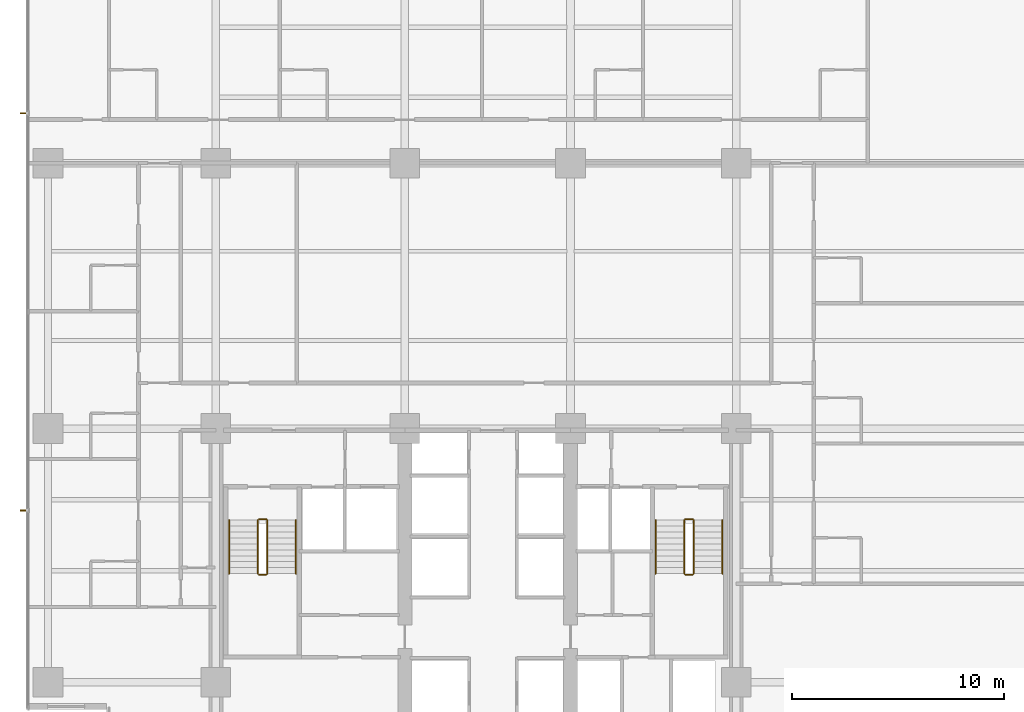
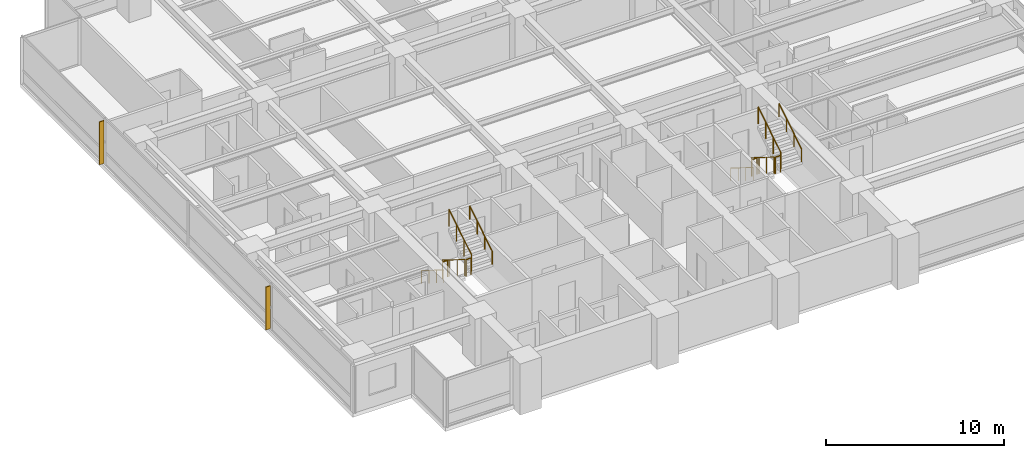
# One storey, part 15 of 17: 12 railings, 2 shading devices.
"""IFC4 building model written with IfcOpenShell, lengths in metres."""

from ifc_helpers import new_model, si_unit, direction, frame, origin, origin_2d, place, context, subcontext, project, spatial, polyline, circle, outline, extrude, material, layer, layer_set, type_object, element, save


model = new_model("IFC4")

# Units and contexts
model_context = context("Model", 3, precision=1e-05, world=origin(), true_north=direction((0.0, 1.0)))
body_context = subcontext(model_context, "Body", "Model", "MODEL_VIEW")
ifc_project = project(units=[si_unit("LENGTHUNIT", "METRE"), si_unit("AREAUNIT", "SQUARE_METRE"), si_unit("VOLUMEUNIT", "CUBIC_METRE"), si_unit("PLANEANGLEUNIT", "RADIAN"), si_unit("MASSUNIT", "GRAM", prefix="KILO")], contexts=[model_context])

# Site, building, storey
site_placement = place(None, origin())
site = spatial("IfcSite", under=ifc_project, at=site_placement, CompositionType="ELEMENT")
building_placement = place(site_placement, origin())
building = spatial("IfcBuilding", under=site, at=building_placement, Name="Qalmaran Belvedere Hotel", CompositionType="ELEMENT")
storey_placement = place(building_placement, frame((0.0, 0.0, 68.39990234375)))
storey = spatial("IfcBuildingStorey", under=building, at=storey_placement, Name="L17", CompositionType="ELEMENT", Elevation=68.39990234375)

# Shading devices
ifc_material_1 = material(Name="Anodised Bronze Aluminium", Category="aluminium")
ifc_layer = layer(ifc_material_1, 0.06494140625, Name="Anodised Bronze Aluminium")
ifc_layer_set = layer_set([ifc_layer], Name="Anodised Bronze Aluminium")
shading_device_type = type_object("IfcShadingDeviceType", Name="FIN-BRNZ-300", PredefinedType="USERDEFINED", material=ifc_layer_set)
shading_device_1_placement = place(storey_placement, frame((0.0, 0.0, 0.16015625)))
element("IfcShadingDevice", 1, at=shading_device_1_placement, inside=storey, type_object=shading_device_type, Name="L17 Bronze Fin 1", ObjectType="FIN", PredefinedType="USERDEFINED", context=body_context, shape_type="SweptSolid", body=[
    extrude(outline(polyline([(11.37744140625, 35.382568359375), (11.077392578125, 35.382568359375), (11.077392578125, 35.3173828125), (11.37744140625, 35.3173828125), (11.37744140625, 35.382568359375)])), origin(), (0.0, 0.0, 1.0), 2.93994140625),
])
shading_device_2_placement = place(storey_placement, frame((0.0, 0.0, 0.16015625)))
element("IfcShadingDevice", 2, at=shading_device_2_placement, inside=storey, type_object=shading_device_type, Name="L17 Bronze Fin 3", ObjectType="FIN", PredefinedType="USERDEFINED", context=body_context, shape_type="SweptSolid", body=[
    extrude(outline(polyline([(11.37744140625, 16.6826171875), (11.077392578125, 16.6826171875), (11.077392578125, 16.617431640625), (11.37744140625, 16.617431640625), (11.37744140625, 16.6826171875)])), origin(), (0.0, 0.0, 1.0), 2.93994140625),
])

# Railings
ifc_material_2 = material(Name="Stainless Steel 1.4401", Category="steel")
railing_type_1 = type_object("IfcRailingType", Name="RLG-STAIR-GUARD-1150", PredefinedType="GUARDRAIL", material=ifc_material_2)
railing_1_placement = place(storey_placement, frame((22.280029296875, 16.18994140625, 0.175048828125)))
element("IfcRailing", 3, at=railing_1_placement, inside=storey, type_object=railing_type_1, Name="L17 ST-1 stair guard 1", PredefinedType="GUARDRAIL", context=body_context, shape_type="SweptSolid", body=[
    extrude(circle(Radius=0.02392578125, at=origin_2d()), frame((0.0, 0.0, 1.1259765625), z_axis=(0.0, -0.848007534815, 0.529984170421), x_axis=(1.0, 0.0, 0.0)), (0.0, 0.0, 1.0), 2.9716796875),
    extrude(circle(Radius=0.02099609375, at=origin_2d()), origin(), (0.0, 0.0, 1.0), 1.101806640625),
    extrude(circle(Radius=0.02099609375, at=origin_2d()), frame((0.0, -0.840087890625, 0.52490234375)), (0.0, 0.0, 1.0), 1.101806640625),
    extrude(circle(Radius=0.02099609375, at=origin_2d()), frame((0.0, -1.679931640625, 1.050048828125)), (0.0, 0.0, 1.0), 1.101806640625),
    extrude(circle(Radius=0.02099609375, at=origin_2d()), frame((0.0, -2.52001953125, 1.574951171875)), (0.0, 0.0, 1.0), 1.101806640625),
])
railing_2_placement = place(storey_placement, frame((22.330078125, 13.6201171875, 1.75)))
element("IfcRailing", 4, at=railing_2_placement, inside=storey, type_object=railing_type_1, Name="L17 ST-1 stair guard 2", PredefinedType="GUARDRAIL", context=body_context, shape_type="SweptSolid", body=[
    extrude(circle(Radius=0.02392578125, at=origin_2d()), frame((0.0, 0.0, 1.1259765625), z_axis=(1.0, 0.0, 0.0), x_axis=(0.0, 1.0, 0.0)), (0.0, 0.0, 1.0), 0.33984375),
    extrude(circle(Radius=0.02099609375, at=origin_2d()), origin(), (0.0, 0.0, 1.0), 1.101806640625),
    extrude(circle(Radius=0.02099609375, at=origin_2d()), frame((0.33984375, 0.0, 0.0)), (0.0, 0.0, 1.0), 1.101806640625),
])
railing_3_placement = place(storey_placement, frame((22.719970703125, 13.669921875, 1.925048828125)))
element("IfcRailing", 5, at=railing_3_placement, inside=storey, type_object=railing_type_1, Name="L17 ST-1 stair guard 3", PredefinedType="GUARDRAIL", context=body_context, shape_type="SweptSolid", body=[
    extrude(circle(Radius=0.02392578125, at=origin_2d()), frame((0.0, 0.0, 1.1259765625), z_axis=(0.0, 0.848007534815, 0.529984170421), x_axis=(-1.0, 0.0, 0.0)), (0.0, 0.0, 1.0), 2.9716796875),
    extrude(circle(Radius=0.02099609375, at=origin_2d()), origin(), (0.0, 0.0, 1.0), 1.101806640625),
    extrude(circle(Radius=0.02099609375, at=origin_2d()), frame((0.0, 0.840087890625, 0.52490234375)), (0.0, 0.0, 1.0), 1.101806640625),
    extrude(circle(Radius=0.02099609375, at=origin_2d()), frame((0.0, 1.679931640625, 1.050048828125)), (0.0, 0.0, 1.0), 1.101806640625),
    extrude(circle(Radius=0.02099609375, at=origin_2d()), frame((0.0, 2.52001953125, 1.574951171875)), (0.0, 0.0, 1.0), 1.101806640625),
])
railing_4_placement = place(storey_placement, frame((22.330078125, 16.239990234375, 0.0)))
element("IfcRailing", 6, at=railing_4_placement, inside=storey, type_object=railing_type_1, Name="L17 ST-1 stair guard 4", PredefinedType="GUARDRAIL", context=body_context, shape_type="SweptSolid", body=[
    extrude(circle(Radius=0.02392578125, at=origin_2d()), frame((0.0, 0.0, 1.1259765625), z_axis=(1.0, 0.0, 0.0), x_axis=(0.0, 1.0, 0.0)), (0.0, 0.0, 1.0), 0.33984375),
    extrude(circle(Radius=0.02099609375, at=origin_2d()), origin(), (0.0, 0.0, 1.0), 1.101806640625),
    extrude(circle(Radius=0.02099609375, at=origin_2d()), frame((0.33984375, 0.0, 0.0)), (0.0, 0.0, 1.0), 1.101806640625),
])
railing_5_placement = place(storey_placement, frame((42.360107421875, 16.18994140625, 0.175048828125)))
element("IfcRailing", 7, at=railing_5_placement, inside=storey, type_object=railing_type_1, Name="L17 ST-2 stair guard 1", PredefinedType="GUARDRAIL", context=body_context, shape_type="SweptSolid", body=[
    extrude(circle(Radius=0.02392578125, at=origin_2d()), frame((0.0, 0.0, 1.1259765625), z_axis=(0.0, -0.848007534815, 0.529984170421), x_axis=(1.0, 0.0, 0.0)), (0.0, 0.0, 1.0), 2.9716796875),
    extrude(circle(Radius=0.02099609375, at=origin_2d()), origin(), (0.0, 0.0, 1.0), 1.101806640625),
    extrude(circle(Radius=0.02099609375, at=origin_2d()), frame((0.0, -0.840087890625, 0.52490234375)), (0.0, 0.0, 1.0), 1.101806640625),
    extrude(circle(Radius=0.02099609375, at=origin_2d()), frame((0.0, -1.679931640625, 1.050048828125)), (0.0, 0.0, 1.0), 1.101806640625),
    extrude(circle(Radius=0.02099609375, at=origin_2d()), frame((0.0, -2.52001953125, 1.574951171875)), (0.0, 0.0, 1.0), 1.101806640625),
])
railing_6_placement = place(storey_placement, frame((42.409912109375, 13.6201171875, 1.75)))
element("IfcRailing", 8, at=railing_6_placement, inside=storey, type_object=railing_type_1, Name="L17 ST-2 stair guard 2", PredefinedType="GUARDRAIL", context=body_context, shape_type="SweptSolid", body=[
    extrude(circle(Radius=0.02392578125, at=origin_2d()), frame((0.0, 0.0, 1.1259765625), z_axis=(1.0, 0.0, 0.0), x_axis=(0.0, 1.0, 0.0)), (0.0, 0.0, 1.0), 0.340087890625),
    extrude(circle(Radius=0.02099609375, at=origin_2d()), origin(), (0.0, 0.0, 1.0), 1.101806640625),
    extrude(circle(Radius=0.02099609375, at=origin_2d()), frame((0.340087890625, 0.0, 0.0)), (0.0, 0.0, 1.0), 1.101806640625),
])
railing_7_placement = place(storey_placement, frame((42.800048828125, 13.669921875, 1.925048828125)))
element("IfcRailing", 9, at=railing_7_placement, inside=storey, type_object=railing_type_1, Name="L17 ST-2 stair guard 3", PredefinedType="GUARDRAIL", context=body_context, shape_type="SweptSolid", body=[
    extrude(circle(Radius=0.02392578125, at=origin_2d()), frame((0.0, 0.0, 1.1259765625), z_axis=(0.0, 0.848007534815, 0.529984170421), x_axis=(-1.0, 0.0, 0.0)), (0.0, 0.0, 1.0), 2.9716796875),
    extrude(circle(Radius=0.02099609375, at=origin_2d()), origin(), (0.0, 0.0, 1.0), 1.101806640625),
    extrude(circle(Radius=0.02099609375, at=origin_2d()), frame((0.0, 0.840087890625, 0.52490234375)), (0.0, 0.0, 1.0), 1.101806640625),
    extrude(circle(Radius=0.02099609375, at=origin_2d()), frame((0.0, 1.679931640625, 1.050048828125)), (0.0, 0.0, 1.0), 1.101806640625),
    extrude(circle(Radius=0.02099609375, at=origin_2d()), frame((0.0, 2.52001953125, 1.574951171875)), (0.0, 0.0, 1.0), 1.101806640625),
])
railing_8_placement = place(storey_placement, frame((42.409912109375, 16.239990234375, 0.0)))
element("IfcRailing", 10, at=railing_8_placement, inside=storey, type_object=railing_type_1, Name="L17 ST-2 stair guard 4", PredefinedType="GUARDRAIL", context=body_context, shape_type="SweptSolid", body=[
    extrude(circle(Radius=0.02392578125, at=origin_2d()), frame((0.0, 0.0, 1.1259765625), z_axis=(1.0, 0.0, 0.0), x_axis=(0.0, 1.0, 0.0)), (0.0, 0.0, 1.0), 0.340087890625),
    extrude(circle(Radius=0.02099609375, at=origin_2d()), origin(), (0.0, 0.0, 1.0), 1.101806640625),
    extrude(circle(Radius=0.02099609375, at=origin_2d()), frame((0.340087890625, 0.0, 0.0)), (0.0, 0.0, 1.0), 1.101806640625),
])
railing_type_2 = type_object("IfcRailingType", Name="RLG-STAIR-HAND-910", PredefinedType="HANDRAIL", material=ifc_material_2)
railing_9_placement = place(storey_placement, frame((20.929931640625, 16.18994140625, 0.175048828125)))
element("IfcRailing", 11, at=railing_9_placement, inside=storey, type_object=railing_type_2, Name="L17 ST-1 stair handrail 1", PredefinedType="HANDRAIL", context=body_context, shape_type="SweptSolid", body=[
    extrude(circle(Radius=0.02392578125, at=origin_2d()), frame((0.0, 0.0, 0.8857421875), z_axis=(0.0, -0.848007534815, 0.529984170421), x_axis=(1.0, 0.0, 0.0)), (0.0, 0.0, 1.0), 2.9716796875),
    extrude(circle(Radius=0.02099609375, at=origin_2d()), origin(), (0.0, 0.0, 1.0), 0.86181640625),
    extrude(circle(Radius=0.02099609375, at=origin_2d()), frame((0.0, -0.840087890625, 0.52490234375)), (0.0, 0.0, 1.0), 0.86181640625),
    extrude(circle(Radius=0.02099609375, at=origin_2d()), frame((0.0, -1.679931640625, 1.050048828125)), (0.0, 0.0, 1.0), 0.86181640625),
    extrude(circle(Radius=0.02099609375, at=origin_2d()), frame((0.0, -2.52001953125, 1.574951171875)), (0.0, 0.0, 1.0), 0.86181640625),
])
railing_10_placement = place(storey_placement, frame((24.070068359375, 13.669921875, 1.925048828125)))
element("IfcRailing", 12, at=railing_10_placement, inside=storey, type_object=railing_type_2, Name="L17 ST-1 stair handrail 2", PredefinedType="HANDRAIL", context=body_context, shape_type="SweptSolid", body=[
    extrude(circle(Radius=0.02392578125, at=origin_2d()), frame((0.0, 0.0, 0.8857421875), z_axis=(0.0, 0.848007534815, 0.529984170421), x_axis=(-1.0, 0.0, 0.0)), (0.0, 0.0, 1.0), 2.9716796875),
    extrude(circle(Radius=0.02099609375, at=origin_2d()), origin(), (0.0, 0.0, 1.0), 0.86181640625),
    extrude(circle(Radius=0.02099609375, at=origin_2d()), frame((0.0, 0.840087890625, 0.52490234375)), (0.0, 0.0, 1.0), 0.86181640625),
    extrude(circle(Radius=0.02099609375, at=origin_2d()), frame((0.0, 1.679931640625, 1.050048828125)), (0.0, 0.0, 1.0), 0.86181640625),
    extrude(circle(Radius=0.02099609375, at=origin_2d()), frame((0.0, 2.52001953125, 1.574951171875)), (0.0, 0.0, 1.0), 0.86181640625),
])
railing_11_placement = place(storey_placement, frame((41.010009765625, 16.18994140625, 0.175048828125)))
element("IfcRailing", 13, at=railing_11_placement, inside=storey, type_object=railing_type_2, Name="L17 ST-2 stair handrail 1", PredefinedType="HANDRAIL", context=body_context, shape_type="SweptSolid", body=[
    extrude(circle(Radius=0.02392578125, at=origin_2d()), frame((0.0, 0.0, 0.8857421875), z_axis=(0.0, -0.848007534815, 0.529984170421), x_axis=(1.0, 0.0, 0.0)), (0.0, 0.0, 1.0), 2.9716796875),
    extrude(circle(Radius=0.02099609375, at=origin_2d()), origin(), (0.0, 0.0, 1.0), 0.86181640625),
    extrude(circle(Radius=0.02099609375, at=origin_2d()), frame((0.0, -0.840087890625, 0.52490234375)), (0.0, 0.0, 1.0), 0.86181640625),
    extrude(circle(Radius=0.02099609375, at=origin_2d()), frame((0.0, -1.679931640625, 1.050048828125)), (0.0, 0.0, 1.0), 0.86181640625),
    extrude(circle(Radius=0.02099609375, at=origin_2d()), frame((0.0, -2.52001953125, 1.574951171875)), (0.0, 0.0, 1.0), 0.86181640625),
])
railing_12_placement = place(storey_placement, frame((44.14990234375, 13.669921875, 1.925048828125)))
element("IfcRailing", 14, at=railing_12_placement, inside=storey, type_object=railing_type_2, Name="L17 ST-2 stair handrail 2", PredefinedType="HANDRAIL", context=body_context, shape_type="SweptSolid", body=[
    extrude(circle(Radius=0.02392578125, at=origin_2d()), frame((0.0, 0.0, 0.8857421875), z_axis=(0.0, 0.848007534815, 0.529984170421), x_axis=(-1.0, 0.0, 0.0)), (0.0, 0.0, 1.0), 2.9716796875),
    extrude(circle(Radius=0.02099609375, at=origin_2d()), origin(), (0.0, 0.0, 1.0), 0.86181640625),
    extrude(circle(Radius=0.02099609375, at=origin_2d()), frame((0.0, 0.840087890625, 0.52490234375)), (0.0, 0.0, 1.0), 0.86181640625),
    extrude(circle(Radius=0.02099609375, at=origin_2d()), frame((0.0, 1.679931640625, 1.050048828125)), (0.0, 0.0, 1.0), 0.86181640625),
    extrude(circle(Radius=0.02099609375, at=origin_2d()), frame((0.0, 2.52001953125, 1.574951171875)), (0.0, 0.0, 1.0), 0.86181640625),
])

save(model, "model.ifc")
